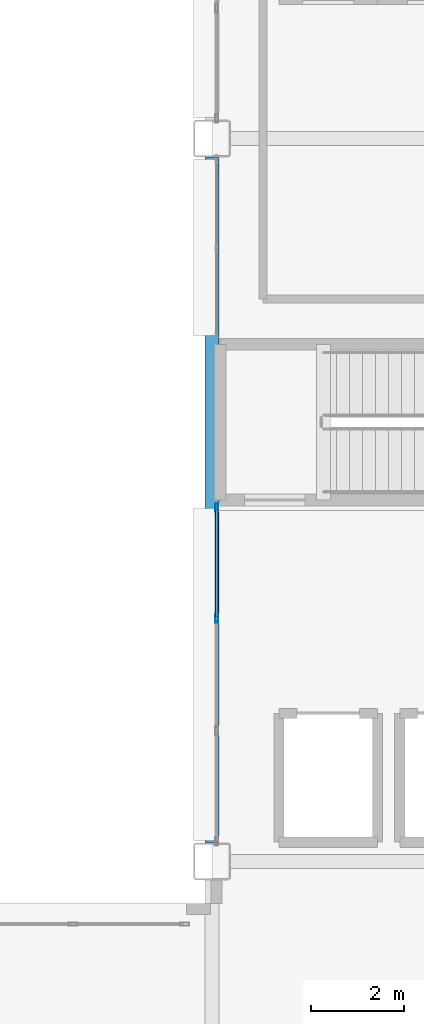
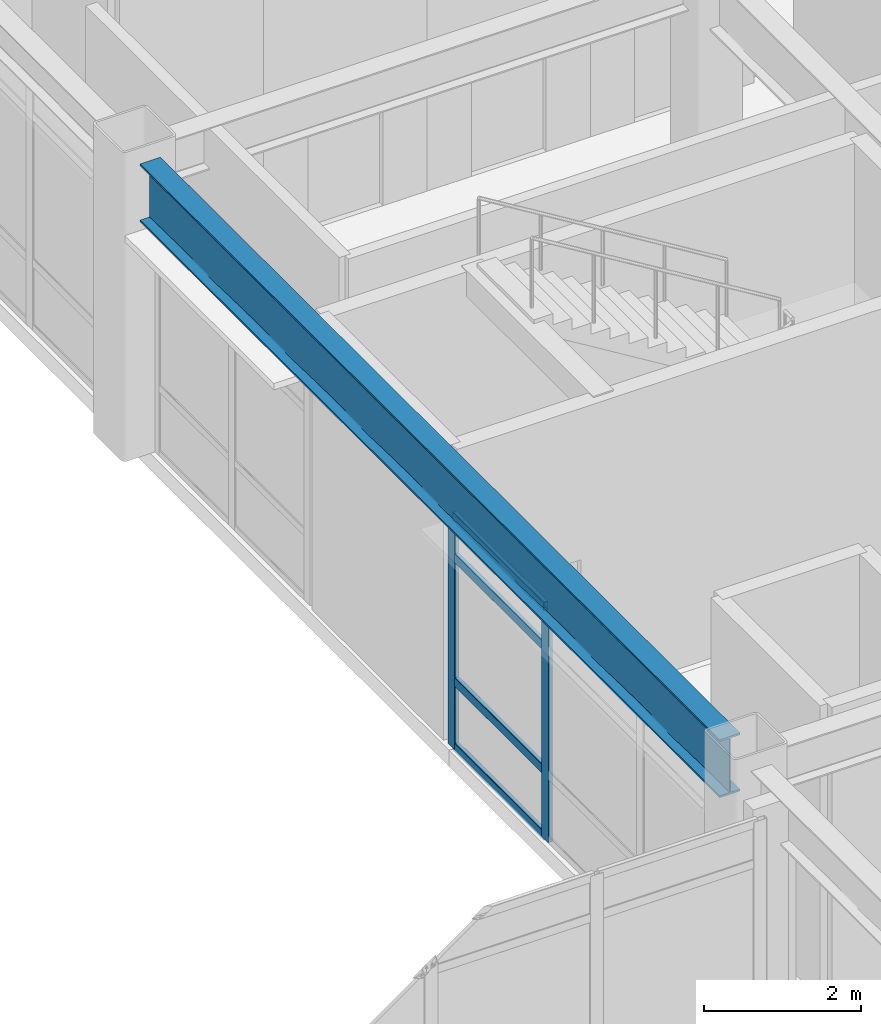
# One storey, part 104 of 172: 6 members, 1 beam, 1 element without a shape of its own.
"""IFC4 building model written with IfcOpenShell, lengths in metres."""

from ifc_helpers import new_model, si_unit, direction, frame, origin, origin_2d, place, context, subcontext, project, spatial, hollow_rectangle, i_section, extrude, material, layer, layer_set, material_profile, profile_set, type_object, element, aggregate, save


model = new_model("IFC4")

# Units and contexts
model_context = context("Model", 3, precision=1e-05, world=origin(), true_north=direction((0.0, 1.0)))
body_context = subcontext(model_context, "Body", "Model", "MODEL_VIEW")
ifc_project = project(units=[si_unit("LENGTHUNIT", "METRE"), si_unit("AREAUNIT", "SQUARE_METRE"), si_unit("VOLUMEUNIT", "CUBIC_METRE"), si_unit("PLANEANGLEUNIT", "RADIAN"), si_unit("MASSUNIT", "GRAM", prefix="KILO")], contexts=[model_context])

# Site, building, storey
site_placement = place(None, origin())
site = spatial("IfcSite", under=ifc_project, at=site_placement, CompositionType="ELEMENT")
building_placement = place(site_placement, origin())
building = spatial("IfcBuilding", under=site, at=building_placement, Name="Kazehara Bluff Congress Hotel", CompositionType="ELEMENT")
storey_placement = place(building_placement, frame((0.0, 0.0, 5.39990234375)))
storey = spatial("IfcBuildingStorey", under=building, at=storey_placement, Name="L01", CompositionType="ELEMENT", Elevation=5.39990234375)

# Curtain wall, members
ifc_material_1 = material(Name="Anodised aluminium", Category="aluminium")
ifc_layer = layer(ifc_material_1, 0.159912109375)
ifc_layer_set = layer_set([ifc_layer], Name="Anodised aluminium")
curtain_wall_type = type_object("IfcCurtainWallType", Name="TP-CW-118", PredefinedType="NOTDEFINED", material=ifc_layer_set)
curtain_wall_placement = place(storey_placement, origin())
curtain_wall = element("IfcCurtainWall", 1, at=curtain_wall_placement, inside=storey, type_object=curtain_wall_type, Name="L01 curtain wall CW-118 CW-ENC-V5-L01-14380-4492", PredefinedType="NOTDEFINED")
ifc_material_2 = material(Name="Anodised aluminium", Category="aluminium")
ifc_material_profile_1 = material_profile(ifc_material_2, hollow_rectangle(XDim=0.06494140625, YDim=0.179931640625, WallThickness=0.00390625, InnerFilletRadius=0.00390625, OuterFilletRadius=0.008056640625, at=origin_2d()))
ifc_profile_set_1 = profile_set([ifc_material_profile_1], Name="Anodised aluminium")
member_type_1 = type_object("IfcMemberType", Name="TP-CWM-02", PredefinedType="MULLION", material=ifc_profile_set_1)
member_1_placement = place(storey_placement, frame((143.800048828125, 46.126708984375, 0.0), z_axis=(0.0, 0.0, 1.0), x_axis=(-1.0, 0.0, 0.0)))
member_1 = element("IfcMember", 2, at=member_1_placement, type_object=member_type_1, Name="CW-118 mullion 3", PredefinedType="MULLION", context=body_context, shape_type="SweptSolid", body=[
    extrude(hollow_rectangle(XDim=0.06494140625, YDim=0.179931640625, WallThickness=0.00390625, InnerFilletRadius=0.00390625, OuterFilletRadius=0.008056640625, at=origin_2d()), origin(), (0.0, 0.0, 1.0), 3.625),
])
member_2_placement = place(storey_placement, frame((143.800048828125, 48.507568359375, 0.0), z_axis=(0.0, 0.0, 1.0), x_axis=(-1.0, 0.0, 0.0)))
member_2 = element("IfcMember", 3, at=member_2_placement, type_object=member_type_1, Name="CW-118 mullion 4", PredefinedType="MULLION", context=body_context, shape_type="SweptSolid", body=[
    extrude(hollow_rectangle(XDim=0.06494140625, YDim=0.179931640625, WallThickness=0.00390625, InnerFilletRadius=0.00390625, OuterFilletRadius=0.008056640625, at=origin_2d()), origin(), (0.0, 0.0, 1.0), 3.625),
])
ifc_material_3 = material(Name="Anodised aluminium", Category="aluminium")
ifc_material_profile_2 = material_profile(ifc_material_3, hollow_rectangle(XDim=0.06494140625, YDim=0.139892578125, WallThickness=0.00390625, InnerFilletRadius=0.00390625, OuterFilletRadius=0.008056640625, at=origin_2d()))
ifc_profile_set_2 = profile_set([ifc_material_profile_2], Name="Anodised aluminium")
member_type_2 = type_object("IfcMemberType", Name="TP-CWT-02", PredefinedType="USERDEFINED", material=ifc_profile_set_2)
member_3_placement = place(storey_placement, frame((143.800048828125, 46.1591796875, 0.03271484375), z_axis=(0.0, 1.0, 0.0), x_axis=(-1.0, 0.0, 0.0)))
member_3 = element("IfcMember", 4, at=member_3_placement, type_object=member_type_2, Name="CW-118 transom 3.1", ObjectType="TRANSOM", PredefinedType="USERDEFINED", context=body_context, shape_type="SweptSolid", body=[
    extrude(hollow_rectangle(XDim=0.06494140625, YDim=0.139892578125, WallThickness=0.00390625, InnerFilletRadius=0.00390625, OuterFilletRadius=0.008056640625, at=origin_2d()), origin(), (0.0, 0.0, 1.0), 2.31591796875),
])
member_4_placement = place(storey_placement, frame((143.800048828125, 46.1591796875, 1.050048828125), z_axis=(0.0, 1.0, 0.0), x_axis=(-1.0, 0.0, 0.0)))
member_4 = element("IfcMember", 5, at=member_4_placement, type_object=member_type_2, Name="CW-118 transom 3.2", ObjectType="TRANSOM", PredefinedType="USERDEFINED", context=body_context, shape_type="SweptSolid", body=[
    extrude(hollow_rectangle(XDim=0.06494140625, YDim=0.139892578125, WallThickness=0.00390625, InnerFilletRadius=0.00390625, OuterFilletRadius=0.008056640625, at=origin_2d()), origin(), (0.0, 0.0, 1.0), 2.31591796875),
])
member_5_placement = place(storey_placement, frame((143.800048828125, 46.1591796875, 2.97509765625), z_axis=(0.0, 1.0, 0.0), x_axis=(-1.0, 0.0, 0.0)))
member_5 = element("IfcMember", 6, at=member_5_placement, type_object=member_type_2, Name="CW-118 transom 3.3", ObjectType="TRANSOM", PredefinedType="USERDEFINED", context=body_context, shape_type="SweptSolid", body=[
    extrude(hollow_rectangle(XDim=0.06494140625, YDim=0.139892578125, WallThickness=0.00390625, InnerFilletRadius=0.00390625, OuterFilletRadius=0.008056640625, at=origin_2d()), origin(), (0.0, 0.0, 1.0), 2.31591796875),
])
member_6_placement = place(storey_placement, frame((143.800048828125, 46.1591796875, 3.592529296875), z_axis=(0.0, 1.0, 0.0), x_axis=(-1.0, 0.0, 0.0)))
member_6 = element("IfcMember", 7, at=member_6_placement, type_object=member_type_2, Name="CW-118 transom 3.4", ObjectType="TRANSOM", PredefinedType="USERDEFINED", context=body_context, shape_type="SweptSolid", body=[
    extrude(hollow_rectangle(XDim=0.06494140625, YDim=0.139892578125, WallThickness=0.00390625, InnerFilletRadius=0.00390625, OuterFilletRadius=0.008056640625, at=origin_2d()), origin(), (0.0, 0.0, 1.0), 2.31591796875),
])
aggregate(curtain_wall, [member_1, member_2, member_3, member_4, member_5, member_6])

# Beam
ifc_material_4 = material(Name="Steel SN490B", Category="steel")
ifc_material_profile_3 = material_profile(ifc_material_4, i_section(OverallWidth=0.300048828125, OverallDepth=0.89990234375, WebThickness=0.01611328125, FlangeThickness=0.028076171875, FilletRadius=0.01806640625, at=origin_2d()))
ifc_profile_set_3 = profile_set([ifc_material_profile_3], Name="Steel SN490B")
beam_type = type_object("IfcBeamType", Name="TP-G-08", PredefinedType="BEAM", material=ifc_profile_set_3)
beam_placement = place(storey_placement, frame((143.699951171875, 41.300048828125, 4.10009765625), z_axis=(0.0, 1.0, 0.0), x_axis=(-1.0, 0.0, 0.0)))
element("IfcBeam", 8, at=beam_placement, inside=storey, type_object=beam_type, Name="L01 girder G-08 234", PredefinedType="BEAM", context=body_context, shape_type="SweptSolid", body=[
    extrude(i_section(OverallWidth=0.300048828125, OverallDepth=0.89990234375, WebThickness=0.01611328125, FlangeThickness=0.028076171875, FilletRadius=0.01806640625, at=origin_2d()), origin(), (0.0, 0.0, 1.0), 14.75),
])

save(model, "model.ifc")
